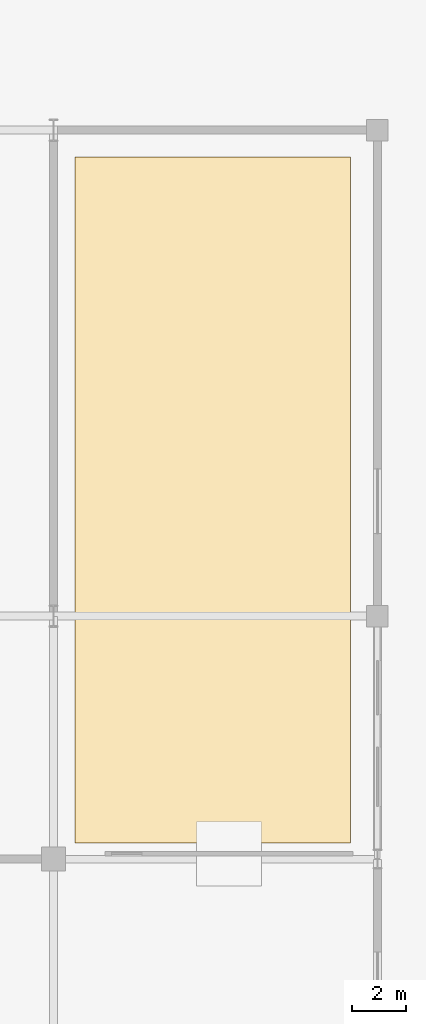
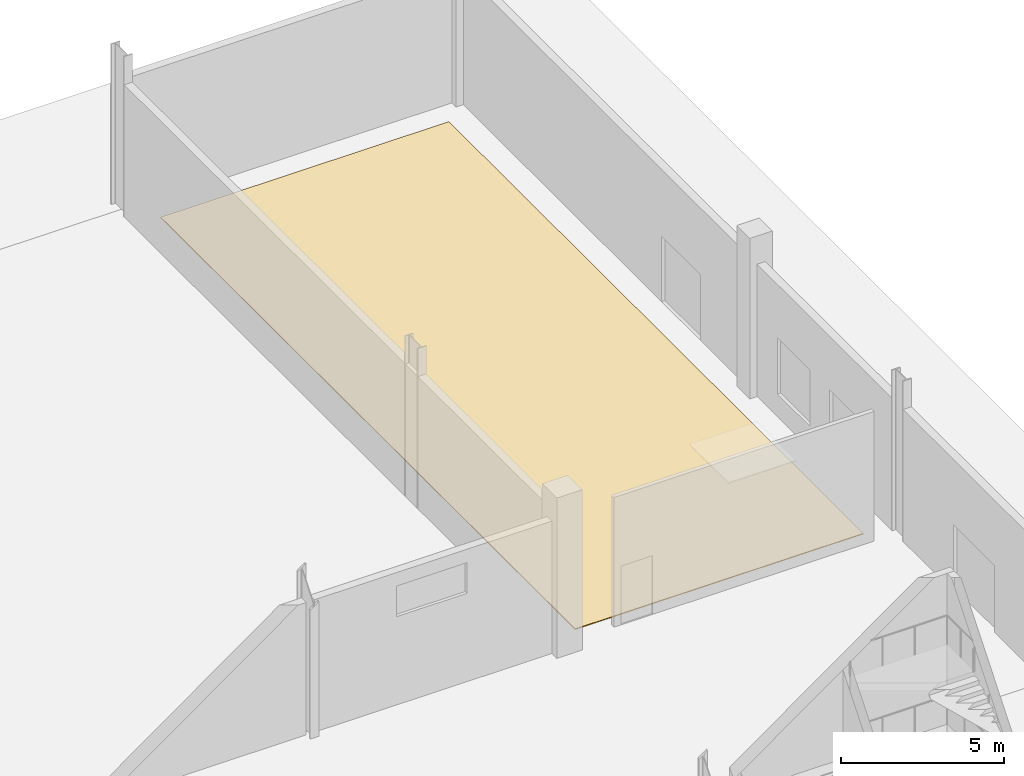
# One storey, part 57 of 58: 1 covering.
"""IFC4 building model written with IfcOpenShell, lengths in metres."""

from ifc_helpers import new_model, si_unit, direction, origin, place, context, subcontext, project, spatial, polyline, outline, extrude, material, layer, layer_set, type_object, element, save


model = new_model("IFC4")

# Units and contexts
model_context = context("Model", 3, precision=1e-05, world=origin(), true_north=direction((0.0, 1.0)))
body_context = subcontext(model_context, "Body", "Model", "MODEL_VIEW")
ifc_project = project(units=[si_unit("LENGTHUNIT", "METRE"), si_unit("AREAUNIT", "SQUARE_METRE"), si_unit("VOLUMEUNIT", "CUBIC_METRE"), si_unit("PLANEANGLEUNIT", "RADIAN"), si_unit("MASSUNIT", "GRAM", prefix="KILO")], contexts=[model_context])

# Site, building, storey
site_placement = place(None, origin())
site = spatial("IfcSite", under=ifc_project, at=site_placement, CompositionType="ELEMENT")
building_placement = place(site_placement, origin())
building = spatial("IfcBuilding", under=site, at=building_placement, Name="Barlavento Convention Centre", CompositionType="ELEMENT")
storey_placement = place(building_placement, origin())
storey = spatial("IfcBuildingStorey", under=building, at=storey_placement, Name="L00", CompositionType="ELEMENT", Elevation=0.0)

# Covering
ifc_material = material(Name="Honed granite concourse stone flooring", Category="masonry")
ifc_layer = layer(ifc_material, 0.030029296875)
ifc_layer_set = layer_set([ifc_layer], Name="ARC-COV-FLR-STONE")
covering_type = type_object("IfcCoveringType", Name="ARC-COV-FLR-STONE", PredefinedType="FLOORING", material=ifc_layer_set)
covering_placement = place(storey_placement, origin())
element("IfcCovering", 1, at=covering_placement, inside=storey, type_object=covering_type, Name="L00 honed stone floor finish", PredefinedType="FLOORING", context=body_context, shape_type="SweptSolid", body=[
    extrude(outline(polyline([(191.0, 108.60009765625), (180.800048828125, 108.60009765625), (180.800048828125, 134.0), (191.0, 134.0), (191.0, 108.60009765625)])), origin(), (0.0, 0.0, 1.0), 0.030029296875),
])

save(model, "model.ifc")
